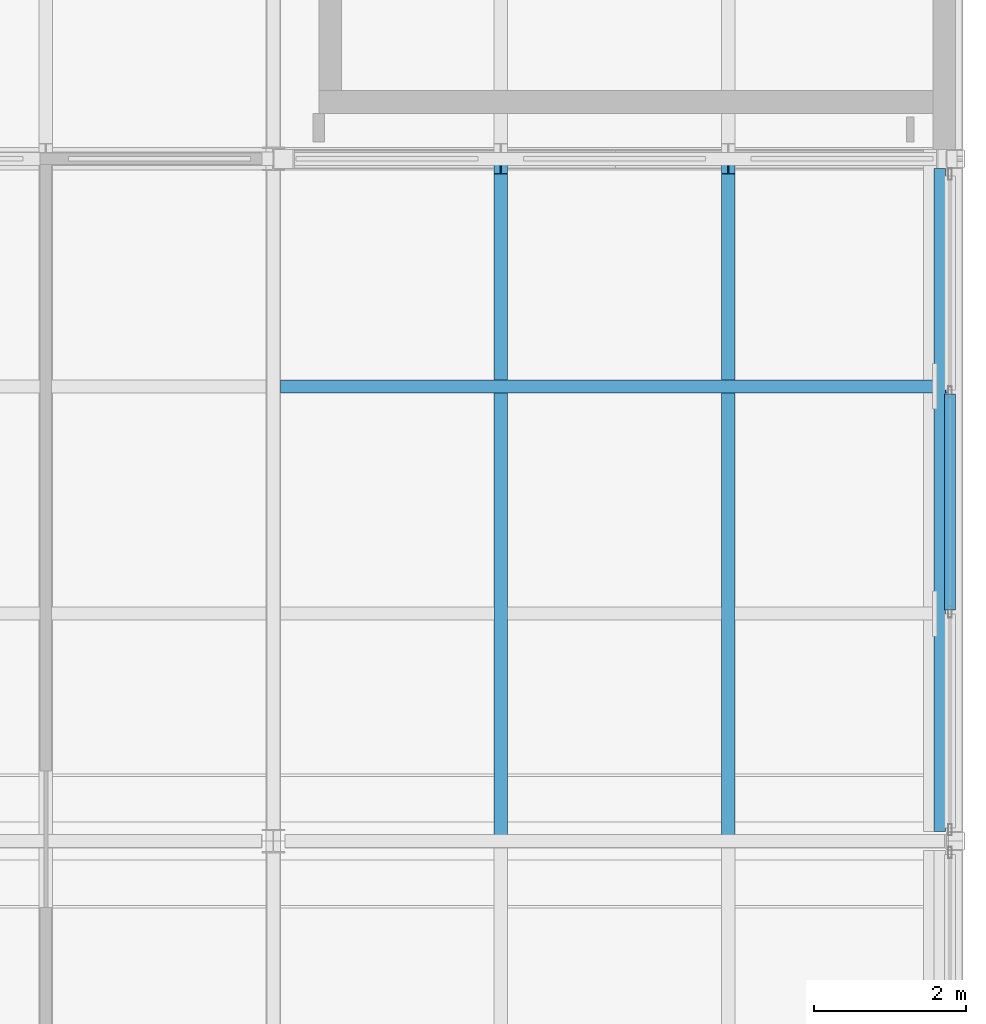
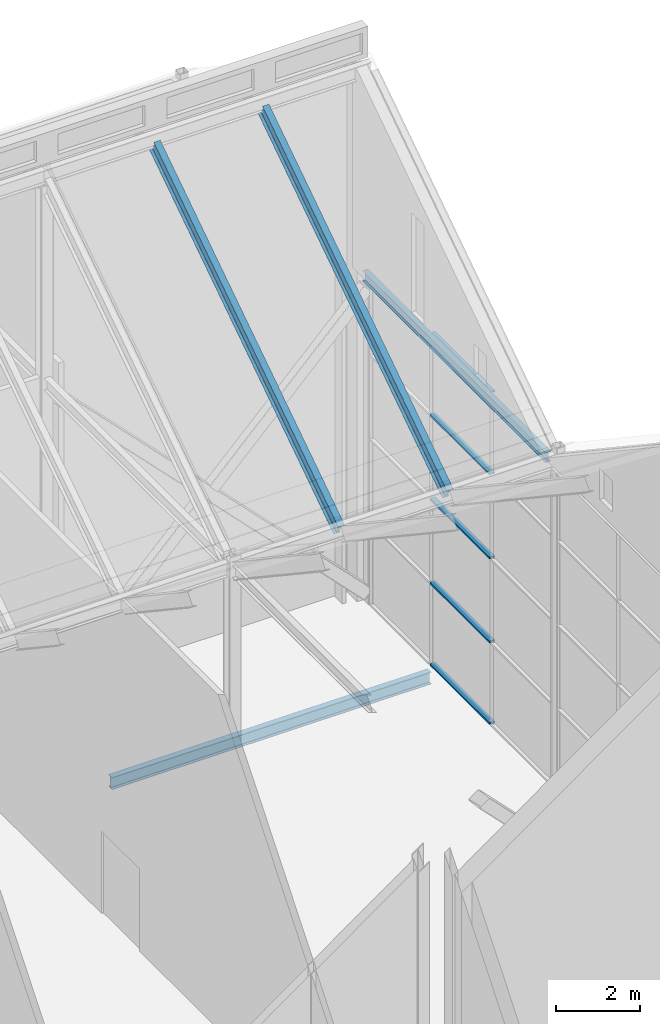
# One storey, part 76 of 111: 7 members, 2 beams, 1 element without a shape of its own.
"""IFC4 building model written with IfcOpenShell, lengths in metres."""

from ifc_helpers import new_model, si_unit, direction, frame, origin, origin_2d, place, context, subcontext, project, spatial, hollow_rectangle, i_section, extrude, material, layer, layer_set, material_profile, profile_set, type_object, element, aggregate, save


model = new_model("IFC4")

# Units and contexts
model_context = context("Model", 3, precision=1e-05, world=origin(), true_north=direction((0.0, 1.0)))
body_context = subcontext(model_context, "Body", "Model", "MODEL_VIEW")
ifc_project = project(units=[si_unit("LENGTHUNIT", "METRE"), si_unit("AREAUNIT", "SQUARE_METRE"), si_unit("VOLUMEUNIT", "CUBIC_METRE"), si_unit("PLANEANGLEUNIT", "RADIAN"), si_unit("MASSUNIT", "GRAM", prefix="KILO")], contexts=[model_context])

# Site, building, storey
site_placement = place(None, origin())
site = spatial("IfcSite", under=ifc_project, at=site_placement, CompositionType="ELEMENT")
building_placement = place(site_placement, origin())
building = spatial("IfcBuilding", under=site, at=building_placement, Name="Shorebreak Coast Museum", CompositionType="ELEMENT")
storey_placement = place(building_placement, frame((0.0, 0.0, 16.0)))
storey = spatial("IfcBuildingStorey", under=building, at=storey_placement, Name="L03", CompositionType="ELEMENT", Elevation=16.0)

# Beam
ifc_material_1 = material(Name="Steel Grade 300", Category="steel")
ifc_material_profile_1 = material_profile(ifc_material_1, i_section(OverallWidth=0.1708984375, OverallDepth=0.35205078125, WebThickness=0.0068359375, FlangeThickness=0.009765625, FilletRadius=0.011474609375, at=origin_2d()), Name="360UB44.7")
ifc_profile_set_1 = profile_set([ifc_material_profile_1], Name="Steel Grade 300")
beam_type_1 = type_object("IfcBeamType", Name="Floor joist 360UB44.7", PredefinedType="JOIST", material=ifc_profile_set_1)
beam_1_placement = place(storey_placement, frame((162.094970703125, 78.0, -0.35107421875), z_axis=(1.0, 0.0, 0.0), x_axis=(0.0, 1.0, 0.0)))
element("IfcBeam", 1, at=beam_1_placement, inside=storey, type_object=beam_type_1, Name="Floor joist L03 bay 19J at 6000 mm", PredefinedType="JOIST", context=body_context, shape_type="SweptSolid", body=[
    extrude(i_section(OverallWidth=0.1708984375, OverallDepth=0.35205078125, WebThickness=0.0068359375, FlangeThickness=0.009765625, FilletRadius=0.011474609375, at=origin_2d()), origin(), (0.0, 0.0, 1.0), 8.81005859375),
])

# Members
ifc_material_2 = material(Name="Steel Grade 300", Category="steel")
ifc_material_profile_2 = material_profile(ifc_material_2, i_section(OverallWidth=0.177978515625, OverallDepth=0.402587890625, WebThickness=0.007568359375, FlangeThickness=0.010986328125, FilletRadius=0.011474609375, at=origin_2d()), Name="410UB53.7")
ifc_profile_set_2 = profile_set([ifc_material_profile_2], Name="Steel Grade 300")
member_type_1 = type_object("IfcMemberType", Name="Fold rafter 410UB53.7", PredefinedType="RAFTER", material=ifc_profile_set_2)
for number, where, z_axis, x_axis, name in (
    (2, (165.0, 80.910888671875, 15.458251953125), (0.0, -0.832043209162, -0.554710823842), (1.0, 0.0, 0.0), "Fold rafter FOLD-E line 3 17"),
    (3, (168.0, 80.910888671875, 15.458251953125), (0.0, -0.832043209162, -0.554710823842), (1.0, 0.0, 0.0), "Fold rafter FOLD-E line 3 18"),
):
    element("IfcMember", number, at=place(storey_placement, frame(where, z_axis=z_axis, x_axis=x_axis)), inside=storey, type_object=member_type_1, Name=name, PredefinedType="RAFTER", context=body_context, shape_type="SweptSolid", body=[
        extrude(i_section(OverallWidth=0.177978515625, OverallDepth=0.402587890625, WebThickness=0.007568359375, FlangeThickness=0.010986328125, FilletRadius=0.011474609375, at=origin_2d()), origin(), (0.0, 0.0, 1.0), 10.6025390625),
    ])

# Beam
ifc_material_3 = material(Name="Steel Grade 300", Category="steel")
ifc_material_profile_3 = material_profile(ifc_material_3, i_section(OverallWidth=0.14892578125, OverallDepth=0.298095703125, WebThickness=0.005615234375, FlangeThickness=0.008056640625, FilletRadius=0.012939453125, at=origin_2d()), Name="310UB32.0")
ifc_profile_set_3 = profile_set([ifc_material_profile_3], Name="Steel Grade 300")
beam_type_2 = type_object("IfcBeamType", Name="Gable base beam 310UB32.0", PredefinedType="BEAM", material=ifc_profile_set_3)
beam_2_placement = place(storey_placement, frame((170.7900390625, 80.875, 9.65087890625), z_axis=(0.0, -1.0, 0.0), x_axis=(1.0, 0.0, 0.0)))
element("IfcBeam", 4, at=beam_2_placement, inside=storey, type_object=beam_type_2, Name="Gable base beam FOLD-E x 171 part 2", PredefinedType="BEAM", context=body_context, shape_type="SweptSolid", body=[
    extrude(i_section(OverallWidth=0.14892578125, OverallDepth=0.298095703125, WebThickness=0.005615234375, FlangeThickness=0.008056640625, FilletRadius=0.012939453125, at=origin_2d()), origin(), (0.0, 0.0, 1.0), 8.75),
])

# Curtain wall, members
ifc_material_4 = material(Name="Aluminium", Category="aluminium")
ifc_layer = layer(ifc_material_4, 0.14990234375)
ifc_layer_set = layer_set([ifc_layer], Name="Aluminium")
curtain_wall_type = type_object("IfcCurtainWallType", Name="Storefront curtain wall", PredefinedType="NOTDEFINED", material=ifc_layer_set)
curtain_wall_placement = place(storey_placement, origin())
curtain_wall = element("IfcCurtainWall", 5, at=curtain_wall_placement, inside=storey, type_object=curtain_wall_type, Name="Gallery end glazing L03 E 2", PredefinedType="NOTDEFINED")
ifc_material_5 = material(Name="Aluminium", Category="aluminium")
ifc_material_profile_4 = material_profile(ifc_material_5, hollow_rectangle(XDim=0.14990234375, YDim=0.050048828125, WallThickness=0.00390625, at=origin_2d()), Name="AL 50x150 RHS")
ifc_profile_set_4 = profile_set([ifc_material_profile_4], Name="Aluminium")
member_type_2 = type_object("IfcMemberType", Name="Storefront transom 150 x 50", PredefinedType="USERDEFINED", material=ifc_profile_set_4)
member_1_placement = place(storey_placement, frame((170.925048828125, 75.04931640625, 0.074951171875), z_axis=(0.0, 1.0, 0.0), x_axis=(-1.0, 0.0, 0.0)))
member_1 = element("IfcMember", 6, at=member_1_placement, type_object=member_type_2, Name="CW9 transom 2.1", ObjectType="TRANSOM", PredefinedType="USERDEFINED", context=body_context, shape_type="SweptSolid", body=[
    extrude(hollow_rectangle(XDim=0.14990234375, YDim=0.050048828125, WallThickness=0.00390625, at=origin_2d()), origin(), (0.0, 0.0, 1.0), 2.849365234375),
])
member_2_placement = place(storey_placement, frame((170.925048828125, 75.04931640625, 2.449951171875), z_axis=(0.0, 1.0, 0.0), x_axis=(-1.0, 0.0, 0.0)))
member_2 = element("IfcMember", 7, at=member_2_placement, type_object=member_type_2, Name="CW9 transom 2.2", ObjectType="TRANSOM", PredefinedType="USERDEFINED", context=body_context, shape_type="SweptSolid", body=[
    extrude(hollow_rectangle(XDim=0.14990234375, YDim=0.050048828125, WallThickness=0.00390625, at=origin_2d()), origin(), (0.0, 0.0, 1.0), 2.849365234375),
])
member_3_placement = place(storey_placement, frame((170.925048828125, 75.04931640625, 4.89990234375), z_axis=(0.0, 1.0, 0.0), x_axis=(-1.0, 0.0, 0.0)))
member_3 = element("IfcMember", 8, at=member_3_placement, type_object=member_type_2, Name="CW9 transom 2.3", ObjectType="TRANSOM", PredefinedType="USERDEFINED", context=body_context, shape_type="SweptSolid", body=[
    extrude(hollow_rectangle(XDim=0.14990234375, YDim=0.050048828125, WallThickness=0.00390625, at=origin_2d()), origin(), (0.0, 0.0, 1.0), 2.849365234375),
])
member_4_placement = place(storey_placement, frame((170.925048828125, 75.04931640625, 7.35009765625), z_axis=(0.0, 1.0, 0.0), x_axis=(-1.0, 0.0, 0.0)))
member_4 = element("IfcMember", 9, at=member_4_placement, type_object=member_type_2, Name="CW9 transom 2.4", ObjectType="TRANSOM", PredefinedType="USERDEFINED", context=body_context, shape_type="SweptSolid", body=[
    extrude(hollow_rectangle(XDim=0.14990234375, YDim=0.050048828125, WallThickness=0.00390625, at=origin_2d()), origin(), (0.0, 0.0, 1.0), 2.849365234375),
])
member_5_placement = place(storey_placement, frame((170.925048828125, 75.04931640625, 9.72509765625), z_axis=(0.0, 1.0, 0.0), x_axis=(-1.0, 0.0, 0.0)))
member_5 = element("IfcMember", 10, at=member_5_placement, type_object=member_type_2, Name="CW9 transom 2.5", ObjectType="TRANSOM", PredefinedType="USERDEFINED", context=body_context, shape_type="SweptSolid", body=[
    extrude(hollow_rectangle(XDim=0.14990234375, YDim=0.050048828125, WallThickness=0.00390625, at=origin_2d()), origin(), (0.0, 0.0, 1.0), 2.849365234375),
])
aggregate(curtain_wall, [member_1, member_2, member_3, member_4, member_5])

save(model, "model.ifc")
